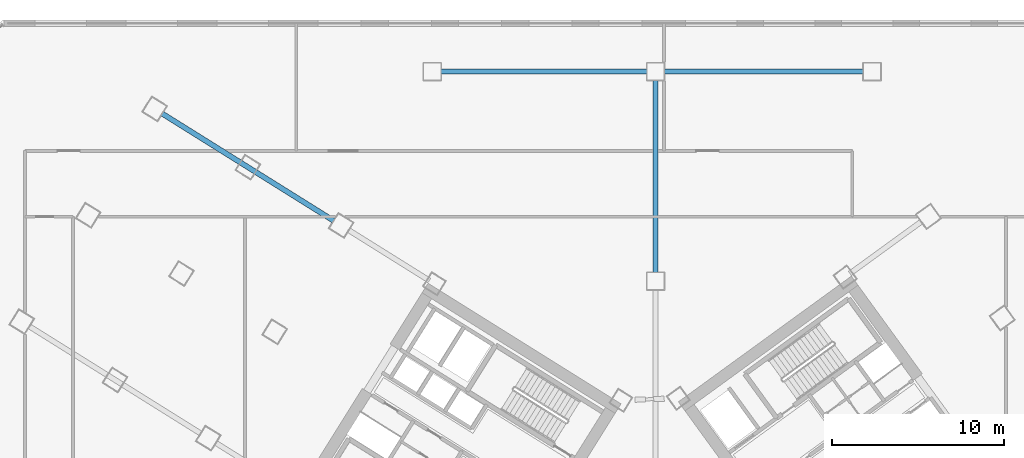
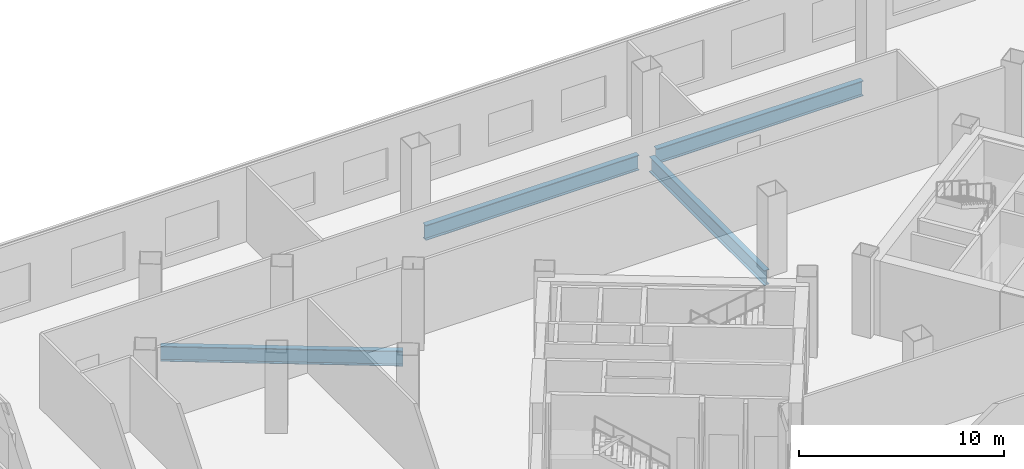
# One storey, part 5 of 22: 4 beams.
"""IFC4 building model written with IfcOpenShell, lengths in metres."""

import ifcopenshell
import ifcopenshell.guid

model = None  # the IFC model being written
_history = None  # IfcOwnerHistory: only IFC2X3 demands one
_inside = {}  # id of a spatial element -> (the spatial element, [elements in it])
_under = {}  # id of a project, library or spatial element -> (it, [spatial elements below it])
_declared = {}  # id of a project -> (the project, [libraries it declares])
_typed = {}  # id of a type object -> (the type object, [elements of that type])
_made_of = {}  # id of a material, layer set ... -> (it, [elements and type objects made of it])


def new_model(schema):
    """Start an empty IFC model of exactly this schema.

    Asked for "IFC4X3", IfcOpenShell would pick the latest addendum, in which some entities
    have other attributes; the version numbers below select the first issue.
    IFC2X3 requires an IfcOwnerHistory on every rooted entity: one is made here for all.
    """
    global model, _history
    if schema == "IFC4X3":
        model = ifcopenshell.file(schema_version=(4, 3, 0, 0))
    else:
        model = ifcopenshell.file(schema=schema)
    _inside.clear()
    _under.clear()
    _declared.clear()
    _typed.clear()
    _made_of.clear()
    _history = None
    if model.schema == "IFC2X3":
        org = make("IfcOrganization", Name="unknown")
        user = make(
            "IfcPersonAndOrganization",
            ThePerson=make("IfcPerson", FamilyName="unknown"),
            TheOrganization=org,
        )
        app = make(
            "IfcApplication",
            ApplicationDeveloper=org,
            Version="unknown",
            ApplicationFullName="unknown",
            ApplicationIdentifier="unknown",
        )
        _history = make(
            "IfcOwnerHistory",
            OwningUser=user,
            OwningApplication=app,
            ChangeAction="ADDED",
            CreationDate=0,
        )
    return model


def make(cls, **values):
    """One entity of the class cls with the attributes given. An attribute that is None is left unset."""
    return model.create_entity(
        cls, **{name: value for name, value in values.items() if value is not None}
    )


def rooted(cls, **values):
    """An entity with a GlobalId (a new one), such as an element, a storey or a relation."""
    return make(cls, GlobalId=ifcopenshell.guid.new(), OwnerHistory=_history, **values)


def si_unit(unit_type, name, prefix=None):
    """IfcSIUnit, for example si_unit("LENGTHUNIT", "METRE", prefix="MILLI")."""
    return make("IfcSIUnit", UnitType=unit_type, Prefix=prefix, Name=name)


def assignment(units):
    """IfcUnitAssignment: the units of a project."""
    return None if units is None else make("IfcUnitAssignment", Units=units)


def point(xyz):
    """IfcCartesianPoint."""
    return None if xyz is None else make("IfcCartesianPoint", Coordinates=xyz)


def direction(xyz):
    """IfcDirection."""
    return None if xyz is None else make("IfcDirection", DirectionRatios=xyz)


def frame(location, z_axis=None, x_axis=None):
    """IfcAxis2Placement3D, a coordinate frame: its origin and axes. An axis left out is left unset."""
    return make(
        "IfcAxis2Placement3D",
        Location=point(location),
        Axis=direction(z_axis),
        RefDirection=direction(x_axis),
    )


def frame_2d(location, x_axis=None):
    """IfcAxis2Placement2D, a coordinate frame in the plane: its origin and x axis."""
    return make(
        "IfcAxis2Placement2D", Location=point(location), RefDirection=direction(x_axis)
    )


def origin():
    """The frame at (0, 0, 0) with its axes left unset."""
    return frame((0.0, 0.0, 0.0))


def origin_2d():
    """The frame at (0, 0) in the plane with its x axis left unset."""
    return frame_2d((0.0, 0.0))


def place(relative_to, where):
    """IfcLocalPlacement: puts the frame where relative to a parent placement (None: the world)."""
    return make(
        "IfcLocalPlacement", PlacementRelTo=relative_to, RelativePlacement=where
    )


def context(
    kind, dimensions, precision=None, world=None, true_north=None, identifier=None
):
    """IfcGeometricRepresentationContext, for example the 3D "Model" context."""
    return make(
        "IfcGeometricRepresentationContext",
        ContextIdentifier=identifier,
        ContextType=kind,
        CoordinateSpaceDimension=dimensions,
        Precision=precision,
        WorldCoordinateSystem=world,
        TrueNorth=true_north,
    )


def subcontext(parent, identifier, kind, view, scale=None):
    """IfcGeometricRepresentationSubContext, for example "Body" below "Model"."""
    return make(
        "IfcGeometricRepresentationSubContext",
        ContextIdentifier=identifier,
        ContextType=kind,
        ParentContext=parent,
        TargetScale=scale,
        TargetView=view,
    )


def project(units=None, contexts=None):
    """IfcProject with its units and contexts."""
    return rooted(
        "IfcProject",
        Name="project",
        RepresentationContexts=contexts,
        UnitsInContext=assignment(units),
    )


def spatial(cls, under=None, at=None, **own):
    """A site, building, storey or space (cls), placed at a placement, below another one or the project."""
    s = rooted(cls, ObjectPlacement=at, **own)
    if under is not None:
        _under.setdefault(under.id(), (under, []))[1].append(s)
    return s


def profile(cls, at=None, kind="AREA", **sizes):
    """A parametric profile (cls). Its sizes go by their IFC names, for example OverallWidth=200.0."""
    return make(cls, ProfileType=kind, Position=at, **sizes)


def i_section(**sizes):
    """IfcIShapeProfileDef."""
    return profile("IfcIShapeProfileDef", **sizes)


def extrude(swept, where, along, depth):
    """IfcExtrudedAreaSolid: the profile swept, set in the frame where, extruded along a direction by depth."""
    return make(
        "IfcExtrudedAreaSolid",
        SweptArea=swept,
        Position=where,
        ExtrudedDirection=direction(along),
        Depth=depth,
    )


def shape(context_of_items, identifier, shape_type, items):
    """IfcShapeRepresentation: the items that make up one representation, for example the "Body"."""
    return make(
        "IfcShapeRepresentation",
        ContextOfItems=context_of_items,
        RepresentationIdentifier=identifier,
        RepresentationType=shape_type,
        Items=items,
    )


def source(mapping_origin, context_of_items, identifier, shape_type, items):
    """IfcRepresentationMap: a shape defined once, which mapped items show again and again."""
    return make(
        "IfcRepresentationMap",
        MappingOrigin=mapping_origin,
        MappedRepresentation=shape(context_of_items, identifier, shape_type, items),
    )


def transform(
    local_origin,
    x_axis=None,
    y_axis=None,
    z_axis=None,
    scale=None,
    scale2=None,
    scale3=None,
    uniform=True,
):
    """IfcCartesianTransformationOperator3D, or its non-uniform kind. x_axis, y_axis, z_axis: its Axis1, 2, 3."""
    if uniform:
        return make(
            "IfcCartesianTransformationOperator3D",
            Axis1=direction(x_axis),
            Axis2=direction(y_axis),
            LocalOrigin=point(local_origin),
            Scale=scale,
            Axis3=direction(z_axis),
        )
    return make(
        "IfcCartesianTransformationOperator3DnonUniform",
        Axis1=direction(x_axis),
        Axis2=direction(y_axis),
        LocalOrigin=point(local_origin),
        Scale=scale,
        Axis3=direction(z_axis),
        Scale2=scale2,
        Scale3=scale3,
    )


def mapped(mapping_source, mapping_target):
    """IfcMappedItem: shows the shape of a source again, moved by a transform."""
    return make(
        "IfcMappedItem", MappingSource=mapping_source, MappingTarget=mapping_target
    )


def material(Name=None, Category=None):
    """IfcMaterial."""
    return make("IfcMaterial", Name=Name, Category=Category)


def material_profile(
    of_material, cross_section, Name=None, Category=None, Priority=None
):
    """IfcMaterialProfile: a cross section and its material."""
    return make(
        "IfcMaterialProfile",
        Name=Name,
        Material=of_material,
        Profile=cross_section,
        Priority=Priority,
        Category=Category,
    )


def profile_set(profiles, Name=None, composite=None):
    """IfcMaterialProfileSet."""
    return make(
        "IfcMaterialProfileSet",
        Name=Name,
        MaterialProfiles=profiles,
        CompositeProfile=composite,
    )


def made_of(thing, what):
    """Note that an element or type object is made of a material, layer set ...; save() writes the relation."""
    if what is not None:
        _made_of.setdefault(what.id(), (what, []))[1].append(thing)
    return thing


def type_object(cls, material=None, **own):
    """A type object (cls), such as IfcWallType, which elements share."""
    return made_of(rooted(cls, **own), material)


def element(
    cls,
    number,
    at=None,
    inside=None,
    cuts=None,
    type_object=None,
    material=None,
    context=None,
    identifier="Body",
    shape_type=None,
    held_by="IfcProductDefinitionShape",
    body=None,
    shapes=None,
    **own,
):
    """One element of the class cls, such as IfcWall. Its Tag is "e" and its number.

    at: its placement. inside: the storey or other place that contains it. cuts: it is an
    opening in that element (IfcRelVoidsElement). A single representation is given by context,
    identifier, shape_type and body (its items); several are given by shapes. held_by: the class
    of the entity that holds the representations. save() writes the other relations.
    """
    e = rooted(cls, Tag="e%d" % number, ObjectPlacement=at, **own)
    if body is not None:
        shapes = [shape(context, identifier, shape_type, body)]
    if shapes is not None:
        e.Representation = make(held_by, Representations=shapes)
    if inside is not None:
        _inside.setdefault(inside.id(), (inside, []))[1].append(e)
    if cuts is not None:
        rooted(
            "IfcRelVoidsElement", RelatingBuildingElement=cuts, RelatedOpeningElement=e
        )
    if type_object is not None:
        _typed.setdefault(type_object.id(), (type_object, []))[1].append(e)
    return made_of(e, material)


def aggregate(whole, parts):
    """IfcRelAggregates: a whole, such as a stair, and the parts it consists of."""
    return rooted("IfcRelAggregates", RelatingObject=whole, RelatedObjects=parts)


def save(model, path):
    """Write the relations noted so far, then the file.

    IfcRelAggregates (storeys below a building ...), IfcRelContainedInSpatialStructure (elements
    in a storey), IfcRelDefinesByType, IfcRelAssociatesMaterial and IfcRelDeclares: one each for
    every whole, place, type object, material and project.
    """
    for whole, parts in _under.values():
        aggregate(whole, parts)
    for where, things in _inside.values():
        rooted(
            "IfcRelContainedInSpatialStructure",
            RelatedElements=things,
            RelatingStructure=where,
        )
    for kind, things in _typed.values():
        rooted("IfcRelDefinesByType", RelatedObjects=things, RelatingType=kind)
    for what, things in _made_of.values():
        rooted("IfcRelAssociatesMaterial", RelatedObjects=things, RelatingMaterial=what)
    for by, libraries in _declared.values():
        rooted("IfcRelDeclares", RelatingContext=by, RelatedDefinitions=libraries)
    model.write(path)


model = new_model("IFC4")

# Units and contexts
model_context = context("Model", 3, precision=1e-05, world=origin(), true_north=direction((0.0, 1.0)))
body_context = subcontext(model_context, "Body", "Model", "MODEL_VIEW")
ifc_project = project(units=[si_unit("LENGTHUNIT", "METRE"), si_unit("AREAUNIT", "SQUARE_METRE"), si_unit("VOLUMEUNIT", "CUBIC_METRE"), si_unit("PLANEANGLEUNIT", "RADIAN"), si_unit("MASSUNIT", "GRAM", prefix="KILO")], contexts=[model_context])

# Site, building, storey
site_placement = place(None, origin())
site = spatial("IfcSite", under=ifc_project, at=site_placement, CompositionType="ELEMENT")
building_placement = place(site_placement, origin())
building = spatial("IfcBuilding", under=site, at=building_placement, Name="Tlacorven Tower", CompositionType="ELEMENT")
storey_placement = place(building_placement, frame((0.0, 0.0, 5.39990234375)))
storey = spatial("IfcBuildingStorey", under=building, at=storey_placement, Name="L01", CompositionType="ELEMENT", Elevation=5.39990234375)

# Beams
ifc_material = material(Name="Steel S460M", Category="steel")
ifc_material_profile = material_profile(ifc_material, i_section(OverallWidth=0.300048828125, OverallDepth=0.89990234375, WebThickness=0.0185546875, FlangeThickness=0.034912109375, at=origin_2d()), Name="HEB 900")
ifc_profile_set = profile_set([ifc_material_profile], Name="Steel S460M")
beam_type = type_object("IfcBeamType", Name="BM-POD-900", PredefinedType="BEAM", material=ifc_profile_set)
shared_shape_1 = source(origin(), body_context, "Body", "SweptSolid", [
    extrude(i_section(OverallWidth=0.300048828125, OverallDepth=0.89990234375, WebThickness=0.0185546875, FlangeThickness=0.034912109375, at=origin_2d()), origin(), (0.0, 0.0, 1.0), 12.0),
])
beam_1_placement = place(storey_placement, frame((30.300048828125, 43.60009765625, -0.7998046875), z_axis=(1.0, 0.0, 0.0), x_axis=(0.0, 1.0, 0.0)))
element("IfcBeam", 1, at=beam_1_placement, inside=storey, type_object=beam_type, Name="L01 beam BM-L01-GX4-1", PredefinedType="BEAM", context=body_context, shape_type="MappedRepresentation", body=[
    mapped(shared_shape_1, transform((0.0, 0.0, 0.0), scale=1.0)),
])
shared_shape_2 = source(origin(), body_context, "Body", "SweptSolid", [
    extrude(i_section(OverallWidth=0.300048828125, OverallDepth=0.89990234375, WebThickness=0.0185546875, FlangeThickness=0.034912109375, at=origin_2d()), origin(), (0.0, 0.0, 1.0), 11.599853515625),
])
beam_2_placement = place(storey_placement, frame((43.300048828125, 43.60009765625, -0.7998046875), z_axis=(1.0, 0.0, 0.0), x_axis=(0.0, 1.0, 0.0)))
element("IfcBeam", 2, at=beam_2_placement, inside=storey, type_object=beam_type, Name="L01 beam BM-L01-GX4-2", PredefinedType="BEAM", context=body_context, shape_type="MappedRepresentation", body=[
    mapped(shared_shape_2, transform((0.0, 0.0, 0.0), scale=1.0)),
])
shared_shape_3 = source(origin(), body_context, "Body", "SweptSolid", [
    extrude(i_section(OverallWidth=0.300048828125, OverallDepth=0.89990234375, WebThickness=0.0185546875, FlangeThickness=0.034912109375, at=origin_2d()), origin(), (0.0, 0.0, 1.0), 11.800048828125),
])
beam_3_placement = place(storey_placement, frame((24.076416015625, 34.90771484375, -0.7998046875), z_axis=(-0.848045956394, 0.529922688554, 0.0), x_axis=(-0.529922688554, -0.848045956394, 0.0)))
element("IfcBeam", 3, at=beam_3_placement, inside=storey, type_object=beam_type, Name="L01 beam BM-L01-WTG3-1", PredefinedType="BEAM", context=body_context, shape_type="MappedRepresentation", body=[
    mapped(shared_shape_3, transform((0.0, 0.0, 0.0), scale=1.0)),
])
shared_shape_4 = source(origin(), body_context, "Body", "SweptSolid", [
    extrude(i_section(OverallWidth=0.300048828125, OverallDepth=0.89990234375, WebThickness=0.0185546875, FlangeThickness=0.034912109375, at=origin_2d()), origin(), (0.0, 0.0, 1.0), 11.2001953125),
])
beam_4_placement = place(storey_placement, frame((42.800048828125, 31.89990234375, -0.7998046875), z_axis=(0.0, 1.0, 0.0), x_axis=(-1.0, 0.0, 0.0)))
element("IfcBeam", 4, at=beam_4_placement, inside=storey, type_object=beam_type, Name="L01 beam BM-L01-GY4-3", PredefinedType="BEAM", context=body_context, shape_type="MappedRepresentation", body=[
    mapped(shared_shape_4, transform((0.0, 0.0, 0.0), scale=1.0)),
])

save(model, "model.ifc")
